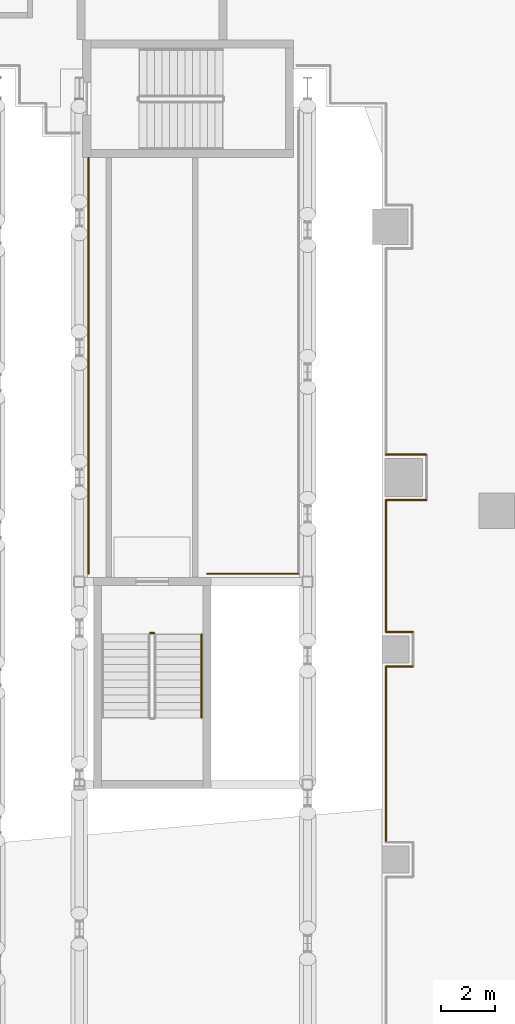
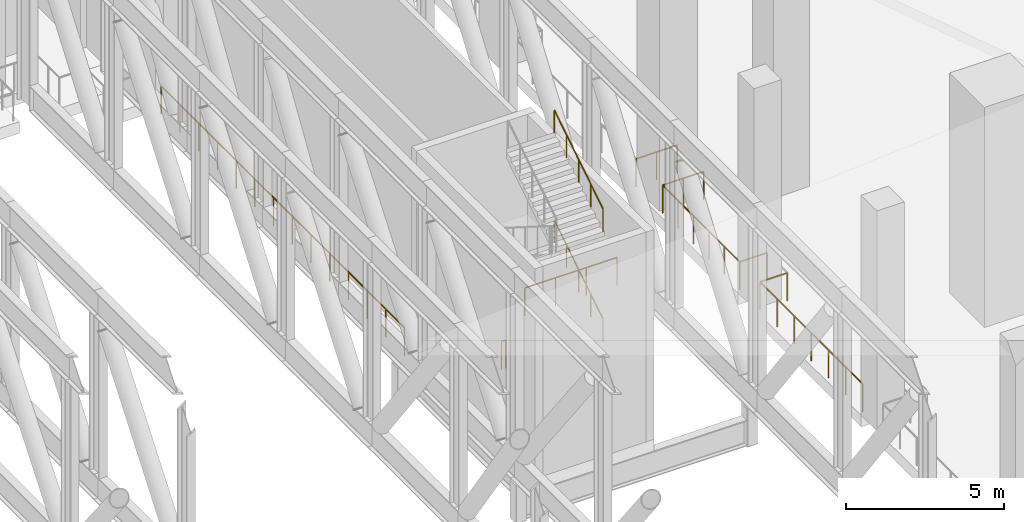
# One storey, part 27 of 33: 11 railings.
"""IFC4 building model written with IfcOpenShell, lengths in metres."""

from ifc_helpers import new_model, si_unit, direction, frame, origin, origin_2d, place, context, subcontext, project, spatial, circle, extrude, material, type_object, element, save


model = new_model("IFC4")

# Units and contexts
model_context = context("Model", 3, precision=1e-05, world=origin(), true_north=direction((0.0, 1.0)))
body_context = subcontext(model_context, "Body", "Model", "MODEL_VIEW")
ifc_project = project(units=[si_unit("LENGTHUNIT", "METRE"), si_unit("AREAUNIT", "SQUARE_METRE"), si_unit("VOLUMEUNIT", "CUBIC_METRE"), si_unit("PLANEANGLEUNIT", "RADIAN"), si_unit("MASSUNIT", "GRAM", prefix="KILO")], contexts=[model_context])

# Site, building, storey
site_placement = place(None, origin())
site = spatial("IfcSite", under=ifc_project, at=site_placement, CompositionType="ELEMENT")
building_placement = place(site_placement, origin())
building = spatial("IfcBuilding", under=site, at=building_placement, Name="Wharfspan Tower", CompositionType="ELEMENT")
storey_placement = place(building_placement, frame((0.0, 0.0, 33.0)))
storey = spatial("IfcBuildingStorey", under=building, at=storey_placement, Name="L05", CompositionType="ELEMENT", Elevation=33.0)

# Railings
ifc_material = material(Name="Steel S355J2", Category="steel")
railing_type_1 = type_object("IfcRailingType", Name="GUARD 1100 STEEL AND GLASS", PredefinedType="GUARDRAIL", material=ifc_material)
railing_1_placement = place(storey_placement, frame((83.340088, -2.0, 0.0)))
element("IfcRailing", 1, at=railing_1_placement, inside=storey, type_object=railing_type_1, Name="Guard on the deck edge", PredefinedType="GUARDRAIL", context=body_context, shape_type="SweptSolid", body=[
    extrude(circle(Radius=0.024902, at=origin_2d()), frame((0.0, 0.0, 1.075195), z_axis=(0.0, 1.0, 0.0), x_axis=(-1.0, 0.0, 0.0)), (0.0, 0.0, 1.0), 6.5),
    extrude(circle(Radius=0.02002, at=origin_2d()), origin(), (0.0, 0.0, 1.0), 1.050049),
    extrude(circle(Radius=0.02002, at=origin_2d()), frame((0.0, 1.083252, 0.0)), (0.0, 0.0, 1.0), 1.050049),
    extrude(circle(Radius=0.02002, at=origin_2d()), frame((0.0, 2.166748, 0.0)), (0.0, 0.0, 1.0), 1.050049),
    extrude(circle(Radius=0.02002, at=origin_2d()), frame((0.0, 3.25, 0.0)), (0.0, 0.0, 1.0), 1.050049),
    extrude(circle(Radius=0.02002, at=origin_2d()), frame((0.0, 4.333252, 0.0)), (0.0, 0.0, 1.0), 1.050049),
    extrude(circle(Radius=0.02002, at=origin_2d()), frame((0.0, 5.416748, 0.0)), (0.0, 0.0, 1.0), 1.050049),
    extrude(circle(Radius=0.02002, at=origin_2d()), frame((0.0, 6.5, 0.0)), (0.0, 0.0, 1.0), 1.050049),
])
railing_2_placement = place(storey_placement, frame((83.340088, 4.5, 0.0)))
element("IfcRailing", 2, at=railing_2_placement, inside=storey, type_object=railing_type_1, Name="Guard on the deck edge", PredefinedType="GUARDRAIL", context=body_context, shape_type="SweptSolid", body=[
    extrude(circle(Radius=0.024902, at=origin_2d()), frame((0.0, 0.0, 1.075195), z_axis=(1.0, 0.0, 0.0), x_axis=(0.0, 1.0, 0.0)), (0.0, 0.0, 1.0), 1.0),
    extrude(circle(Radius=0.02002, at=origin_2d()), origin(), (0.0, 0.0, 1.0), 1.050049),
    extrude(circle(Radius=0.02002, at=origin_2d()), frame((1.0, 0.0, 0.0)), (0.0, 0.0, 1.0), 1.050049),
])
railing_3_placement = place(storey_placement, frame((84.340088, 5.780029, 0.0)))
element("IfcRailing", 3, at=railing_3_placement, inside=storey, type_object=railing_type_1, Name="Guard on the deck edge", PredefinedType="GUARDRAIL", context=body_context, shape_type="SweptSolid", body=[
    extrude(circle(Radius=0.024902, at=origin_2d()), frame((0.0, 0.0, 1.075195), z_axis=(-1.0, 0.0, 0.0), x_axis=(0.0, -1.0, 0.0)), (0.0, 0.0, 1.0), 1.0),
    extrude(circle(Radius=0.02002, at=origin_2d()), origin(), (0.0, 0.0, 1.0), 1.050049),
    extrude(circle(Radius=0.02002, at=origin_2d()), frame((-1.0, 0.0, 0.0)), (0.0, 0.0, 1.0), 1.050049),
])
railing_4_placement = place(storey_placement, frame((83.340088, 5.780029, 0.0)))
element("IfcRailing", 4, at=railing_4_placement, inside=storey, type_object=railing_type_1, Name="Guard on the deck edge", PredefinedType="GUARDRAIL", context=body_context, shape_type="SweptSolid", body=[
    extrude(circle(Radius=0.024902, at=origin_2d()), frame((0.0, 0.0, 1.075195), z_axis=(0.0, 1.0, 0.0), x_axis=(-1.0, 0.0, 0.0)), (0.0, 0.0, 1.0), 4.879883),
    extrude(circle(Radius=0.02002, at=origin_2d()), origin(), (0.0, 0.0, 1.0), 1.050049),
    extrude(circle(Radius=0.02002, at=origin_2d()), frame((0.0, 0.976074, 0.0)), (0.0, 0.0, 1.0), 1.050049),
    extrude(circle(Radius=0.02002, at=origin_2d()), frame((0.0, 1.951904, 0.0)), (0.0, 0.0, 1.0), 1.050049),
    extrude(circle(Radius=0.02002, at=origin_2d()), frame((0.0, 2.927979, 0.0)), (0.0, 0.0, 1.0), 1.050049),
    extrude(circle(Radius=0.02002, at=origin_2d()), frame((0.0, 3.903809, 0.0)), (0.0, 0.0, 1.0), 1.050049),
    extrude(circle(Radius=0.02002, at=origin_2d()), frame((0.0, 4.879883, 0.0)), (0.0, 0.0, 1.0), 1.050049),
])
railing_5_placement = place(storey_placement, frame((83.340088, 10.659912, 0.0)))
element("IfcRailing", 5, at=railing_5_placement, inside=storey, type_object=railing_type_1, Name="Guard on the deck edge", PredefinedType="GUARDRAIL", context=body_context, shape_type="SweptSolid", body=[
    extrude(circle(Radius=0.024902, at=origin_2d()), frame((0.0, 0.0, 1.075195), z_axis=(1.0, 0.0, 0.0), x_axis=(0.0, 1.0, 0.0)), (0.0, 0.0, 1.0), 1.5),
    extrude(circle(Radius=0.02002, at=origin_2d()), origin(), (0.0, 0.0, 1.0), 1.050049),
    extrude(circle(Radius=0.02002, at=origin_2d()), frame((0.75, 0.0, 0.0)), (0.0, 0.0, 1.0), 1.050049),
    extrude(circle(Radius=0.02002, at=origin_2d()), frame((1.5, 0.0, 0.0)), (0.0, 0.0, 1.0), 1.050049),
])
railing_6_placement = place(storey_placement, frame((84.840088, 12.340088, 0.0)))
element("IfcRailing", 6, at=railing_6_placement, inside=storey, type_object=railing_type_1, Name="Guard on the deck edge", PredefinedType="GUARDRAIL", context=body_context, shape_type="SweptSolid", body=[
    extrude(circle(Radius=0.024902, at=origin_2d()), frame((0.0, 0.0, 1.075195), z_axis=(-1.0, 0.0, 0.0), x_axis=(0.0, -1.0, 0.0)), (0.0, 0.0, 1.0), 1.5),
    extrude(circle(Radius=0.02002, at=origin_2d()), origin(), (0.0, 0.0, 1.0), 1.050049),
    extrude(circle(Radius=0.02002, at=origin_2d()), frame((-0.75, 0.0, 0.0)), (0.0, 0.0, 1.0), 1.050049),
    extrude(circle(Radius=0.02002, at=origin_2d()), frame((-1.5, 0.0, 0.0)), (0.0, 0.0, 1.0), 1.050049),
])
railing_7_placement = place(storey_placement, frame((80.102051, 7.931885, 0.0)))
element("IfcRailing", 7, at=railing_7_placement, inside=storey, type_object=railing_type_1, Name="Guard on the deck edge", PredefinedType="GUARDRAIL", context=body_context, shape_type="SweptSolid", body=[
    extrude(circle(Radius=0.024902, at=origin_2d()), frame((0.0, 0.0, 1.075195), z_axis=(-1.0, 0.0, 0.0), x_axis=(0.0, -1.0, 0.0)), (0.0, 0.0, 1.0), 3.374512),
    extrude(circle(Radius=0.02002, at=origin_2d()), origin(), (0.0, 0.0, 1.0), 1.050049),
    extrude(circle(Radius=0.02002, at=origin_2d()), frame((-1.124756, 0.0, 0.0)), (0.0, 0.0, 1.0), 1.050049),
    extrude(circle(Radius=0.02002, at=origin_2d()), frame((-2.249756, 0.0, 0.0)), (0.0, 0.0, 1.0), 1.050049),
    extrude(circle(Radius=0.02002, at=origin_2d()), frame((-3.374512, 0.0, 0.0)), (0.0, 0.0, 1.0), 1.050049),
])
railing_8_placement = place(storey_placement, frame((72.340088, 7.931885, 0.0)))
element("IfcRailing", 8, at=railing_8_placement, inside=storey, type_object=railing_type_1, Name="Guard on the deck edge", PredefinedType="GUARDRAIL", context=body_context, shape_type="SweptSolid", body=[
    extrude(circle(Radius=0.024902, at=origin_2d()), frame((0.0, 0.0, 1.075195), z_axis=(0.0, 1.0, 0.0), x_axis=(-1.0, 0.0, 0.0)), (0.0, 0.0, 1.0), 15.393066),
    extrude(circle(Radius=0.02002, at=origin_2d()), origin(), (0.0, 0.0, 1.0), 1.050049),
    extrude(circle(Radius=0.02002, at=origin_2d()), frame((0.0, 1.184082, 0.0)), (0.0, 0.0, 1.0), 1.050049),
    extrude(circle(Radius=0.02002, at=origin_2d()), frame((0.0, 2.368164, 0.0)), (0.0, 0.0, 1.0), 1.050049),
    extrude(circle(Radius=0.02002, at=origin_2d()), frame((0.0, 3.552246, 0.0)), (0.0, 0.0, 1.0), 1.050049),
    extrude(circle(Radius=0.02002, at=origin_2d()), frame((0.0, 4.736328, 0.0)), (0.0, 0.0, 1.0), 1.050049),
    extrude(circle(Radius=0.02002, at=origin_2d()), frame((0.0, 5.92041, 0.0)), (0.0, 0.0, 1.0), 1.050049),
    extrude(circle(Radius=0.02002, at=origin_2d()), frame((0.0, 7.104492, 0.0)), (0.0, 0.0, 1.0), 1.050049),
    extrude(circle(Radius=0.02002, at=origin_2d()), frame((0.0, 8.288574, 0.0)), (0.0, 0.0, 1.0), 1.050049),
    extrude(circle(Radius=0.02002, at=origin_2d()), frame((0.0, 9.472656, 0.0)), (0.0, 0.0, 1.0), 1.050049),
    extrude(circle(Radius=0.02002, at=origin_2d()), frame((0.0, 10.656738, 0.0)), (0.0, 0.0, 1.0), 1.050049),
    extrude(circle(Radius=0.02002, at=origin_2d()), frame((0.0, 11.84082, 0.0)), (0.0, 0.0, 1.0), 1.050049),
    extrude(circle(Radius=0.02002, at=origin_2d()), frame((0.0, 13.024902, 0.0)), (0.0, 0.0, 1.0), 1.050049),
    extrude(circle(Radius=0.02002, at=origin_2d()), frame((0.0, 14.208984, 0.0)), (0.0, 0.0, 1.0), 1.050049),
    extrude(circle(Radius=0.02002, at=origin_2d()), frame((0.0, 15.393066, 0.0)), (0.0, 0.0, 1.0), 1.050049),
])
railing_type_2 = type_object("IfcRailingType", Name="Stair guard 1100", PredefinedType="GUARDRAIL", material=ifc_material)
railing_9_placement = place(storey_placement, frame((74.617432, 5.741943, 0.0)))
element("IfcRailing", 9, at=railing_9_placement, inside=storey, type_object=railing_type_2, Name="L05 ST5 stair guard 2", PredefinedType="GUARDRAIL", context=body_context, shape_type="SweptSolid", body=[
    extrude(circle(Radius=0.023926, at=origin_2d()), frame((0.0, 0.0, 1.076172), z_axis=(1.0, 0.0, 0.0), x_axis=(0.0, 1.0, 0.0)), (0.0, 0.0, 1.0), 0.150146),
    extrude(circle(Radius=0.020996, at=origin_2d()), origin(), (0.0, 0.0, 1.0), 1.052002),
    extrude(circle(Radius=0.020996, at=origin_2d()), frame((0.150146, 0.0, 0.0)), (0.0, 0.0, 1.0), 1.052002),
])
railing_type_3 = type_object("IfcRailingType", Name="Stair handrail 900", PredefinedType="HANDRAIL", material=ifc_material)
for number, where, name in (
    (10, (76.517578, 2.612061, 2.302002), "L05 ST5 stair handrail 2"),
    (11, (76.517578, 2.612061, 6.552002), "L05 ST5 stair handrail 4"),
):
    element("IfcRailing", number, at=place(storey_placement, frame(where)), inside=storey, type_object=railing_type_3, Name=name, PredefinedType="HANDRAIL", context=body_context, shape_type="SweptSolid", body=[
        extrude(circle(Radius=0.023926, at=origin_2d()), frame((0.0, 0.0, 0.875977), z_axis=(0.0, 0.845137, 0.53455), x_axis=(-1.0, 0.0, 0.0)), (0.0, 0.0, 1.0), 3.644287),
        extrude(circle(Radius=0.020996, at=origin_2d()), origin(), (0.0, 0.0, 1.0), 0.851807),
        extrude(circle(Radius=0.020996, at=origin_2d()), frame((0.0, 0.77002, 0.487061)), (0.0, 0.0, 1.0), 0.851807),
        extrude(circle(Radius=0.020996, at=origin_2d()), frame((0.0, 1.540039, 0.974121)), (0.0, 0.0, 1.0), 0.851807),
        extrude(circle(Radius=0.020996, at=origin_2d()), frame((0.0, 2.309814, 1.460938)), (0.0, 0.0, 1.0), 0.851807),
        extrude(circle(Radius=0.020996, at=origin_2d()), frame((0.0, 3.079834, 1.947998)), (0.0, 0.0, 1.0), 0.851807),
    ])

save(model, "model.ifc")
